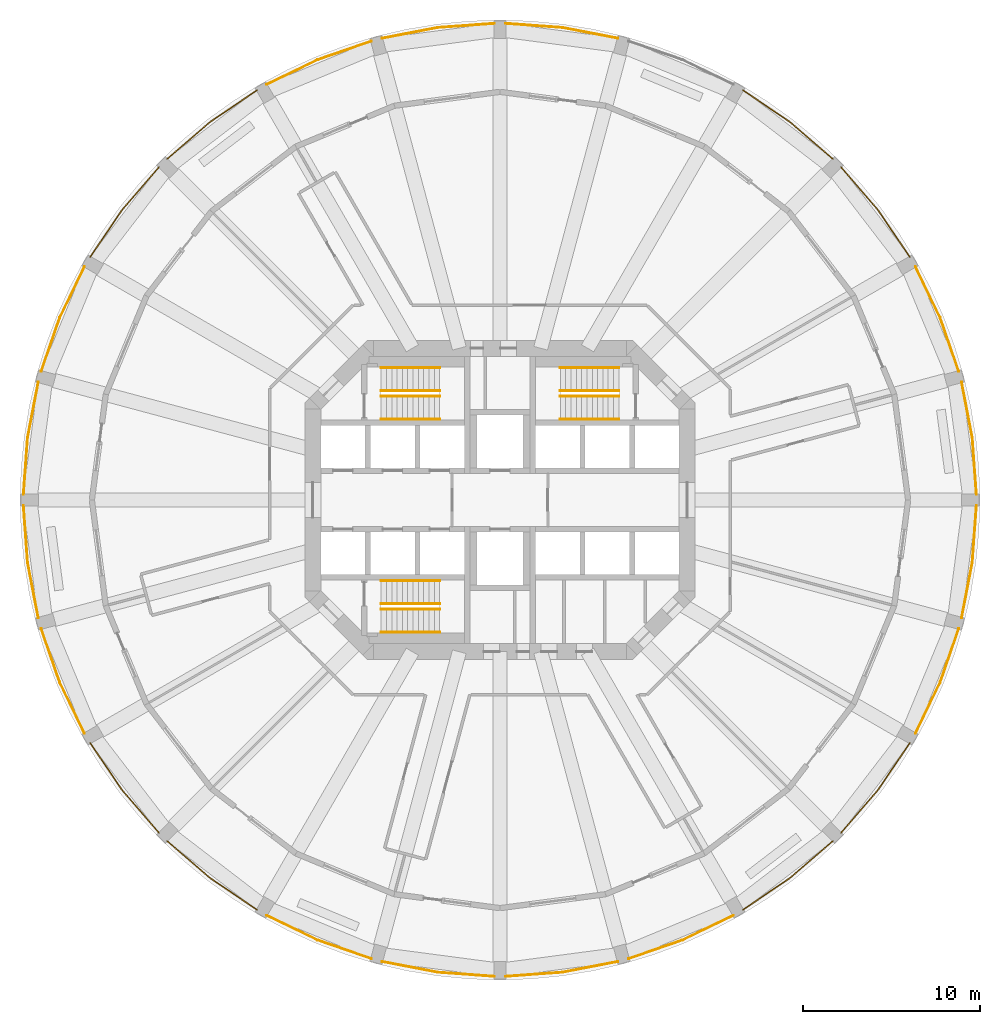
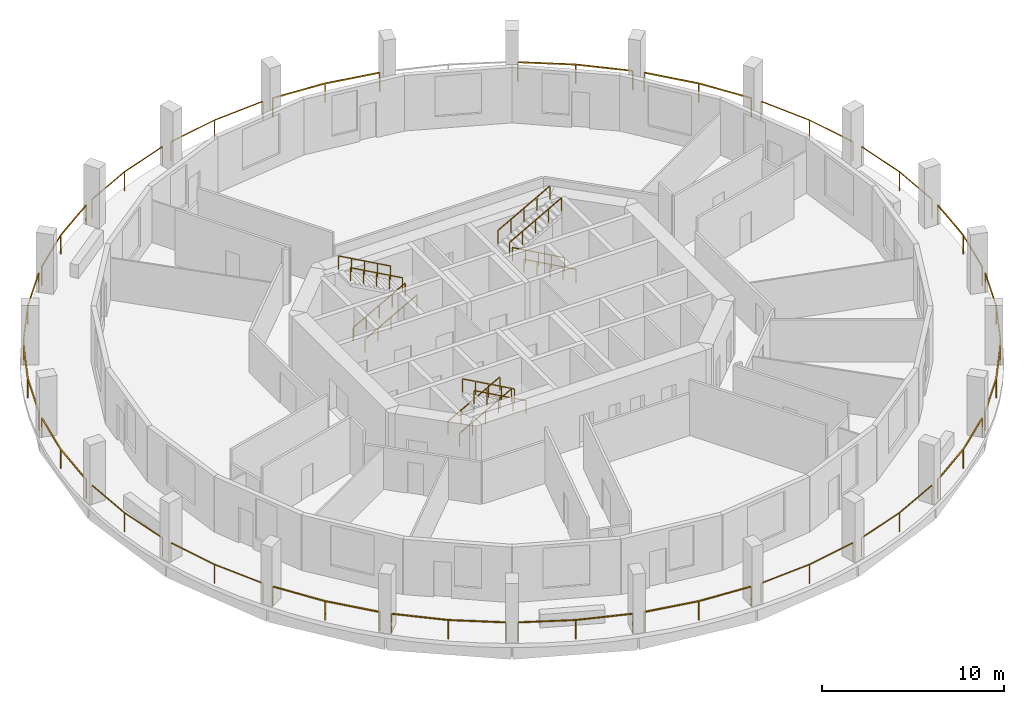
# One storey, part 8 of 9: 35 railings.
"""IFC4 building model written with IfcOpenShell, lengths in metres."""

from ifc_helpers import new_model, si_unit, direction, frame, origin, origin_2d, place, context, subcontext, project, spatial, rectangle, extrude, material, type_object, element, save


model = new_model("IFC4")

# Units and contexts
model_context = context("Model", 3, precision=1e-05, world=origin(), true_north=direction((0.0, 1.0)))
body_context = subcontext(model_context, "Body", "Model", "MODEL_VIEW")
ifc_project = project(units=[si_unit("LENGTHUNIT", "METRE"), si_unit("AREAUNIT", "SQUARE_METRE"), si_unit("VOLUMEUNIT", "CUBIC_METRE"), si_unit("PLANEANGLEUNIT", "RADIAN"), si_unit("MASSUNIT", "GRAM", prefix="KILO")], contexts=[model_context])

# Site, building, storey
site_placement = place(None, origin())
site = spatial("IfcSite", under=ifc_project, at=site_placement, CompositionType="ELEMENT")
building_placement = place(site_placement, origin())
building = spatial("IfcBuilding", under=site, at=building_placement, Name="Torre Triforio", CompositionType="ELEMENT")
storey_placement = place(building_placement, frame((0.0, 0.0, 67.0)))
storey = spatial("IfcBuildingStorey", under=building, at=storey_placement, Name="L14", CompositionType="ELEMENT", Elevation=67.0)

# Railings
ifc_material = material(Name="Stainless steel AISI 316", Category="steel")
railing_type_1 = type_object("IfcRailingType", Name="HANDRAIL 920", PredefinedType="HANDRAIL", material=ifc_material)
for number, where, name in (
    (1, (-6.699951171875, 4.550048828125, 0.166748046875), "Handrail ST1"),
    (2, (-6.699951171875, 5.85009765625, 0.166748046875), "Handrail ST1"),
):
    element("IfcRailing", number, at=place(storey_placement, frame(where)), inside=storey, type_object=railing_type_1, Name=name, PredefinedType="HANDRAIL", context=body_context, shape_type="SweptSolid", body=[
        extrude(rectangle(XDim=0.048095703125, YDim=0.048095703125, at=origin_2d()), frame((0.0, 0.0, 0.89599609375), z_axis=(0.874169478083, 0.0, 0.485620966999), x_axis=(0.0, 1.0, 0.0)), (0.0, 0.0, 1.0), 3.775146484375),
        extrude(rectangle(XDim=0.0419921875, YDim=0.0419921875, at=origin_2d()), origin(), (0.0, 0.0, 1.0), 0.871826171875),
        extrude(rectangle(XDim=0.0419921875, YDim=0.0419921875, at=origin_2d()), frame((0.824951171875, 0.0, 0.458251953125)), (0.0, 0.0, 1.0), 0.871826171875),
        extrude(rectangle(XDim=0.0419921875, YDim=0.0419921875, at=origin_2d()), frame((1.64990234375, 0.0, 0.91650390625)), (0.0, 0.0, 1.0), 0.871826171875),
        extrude(rectangle(XDim=0.0419921875, YDim=0.0419921875, at=origin_2d()), frame((2.47509765625, 0.0, 1.375)), (0.0, 0.0, 1.0), 0.871826171875),
        extrude(rectangle(XDim=0.0419921875, YDim=0.0419921875, at=origin_2d()), frame((3.300048828125, 0.0, 1.833251953125)), (0.0, 0.0, 1.0), 0.871826171875),
    ])
for number, where, name in (
    (3, (-3.39990234375, 7.449951171875, 2.166748046875), "Handrail ST1"),
    (4, (-3.39990234375, 6.14990234375, 2.166748046875), "Handrail ST1"),
    (5, (6.699951171875, 4.550048828125, 0.166748046875), "Handrail ST2"),
    (6, (6.699951171875, 5.85009765625, 0.166748046875), "Handrail ST2"),
):
    element("IfcRailing", number, at=place(storey_placement, frame(where)), inside=storey, type_object=railing_type_1, Name=name, PredefinedType="HANDRAIL", context=body_context, shape_type="SweptSolid", body=[
        extrude(rectangle(XDim=0.048095703125, YDim=0.048095703125, at=origin_2d()), frame((0.0, 0.0, 0.89599609375), z_axis=(-0.874169478083, 0.0, 0.485620966999), x_axis=(0.0, -1.0, 0.0)), (0.0, 0.0, 1.0), 3.775146484375),
        extrude(rectangle(XDim=0.0419921875, YDim=0.0419921875, at=origin_2d()), origin(), (0.0, 0.0, 1.0), 0.871826171875),
        extrude(rectangle(XDim=0.0419921875, YDim=0.0419921875, at=origin_2d()), frame((-0.824951171875, 0.0, 0.458251953125)), (0.0, 0.0, 1.0), 0.871826171875),
        extrude(rectangle(XDim=0.0419921875, YDim=0.0419921875, at=origin_2d()), frame((-1.64990234375, 0.0, 0.91650390625)), (0.0, 0.0, 1.0), 0.871826171875),
        extrude(rectangle(XDim=0.0419921875, YDim=0.0419921875, at=origin_2d()), frame((-2.47509765625, 0.0, 1.375)), (0.0, 0.0, 1.0), 0.871826171875),
        extrude(rectangle(XDim=0.0419921875, YDim=0.0419921875, at=origin_2d()), frame((-3.300048828125, 0.0, 1.833251953125)), (0.0, 0.0, 1.0), 0.871826171875),
    ])
for number, where, name in (
    (7, (3.39990234375, 7.449951171875, 2.166748046875), "Handrail ST2"),
    (8, (3.39990234375, 6.14990234375, 2.166748046875), "Handrail ST2"),
    (9, (-6.699951171875, -4.550048828125, 0.166748046875), "Handrail ST3"),
    (10, (-6.699951171875, -5.85009765625, 0.166748046875), "Handrail ST3"),
):
    element("IfcRailing", number, at=place(storey_placement, frame(where)), inside=storey, type_object=railing_type_1, Name=name, PredefinedType="HANDRAIL", context=body_context, shape_type="SweptSolid", body=[
        extrude(rectangle(XDim=0.048095703125, YDim=0.048095703125, at=origin_2d()), frame((0.0, 0.0, 0.89599609375), z_axis=(0.874169478083, 0.0, 0.485620966999), x_axis=(0.0, 1.0, 0.0)), (0.0, 0.0, 1.0), 3.775146484375),
        extrude(rectangle(XDim=0.0419921875, YDim=0.0419921875, at=origin_2d()), origin(), (0.0, 0.0, 1.0), 0.871826171875),
        extrude(rectangle(XDim=0.0419921875, YDim=0.0419921875, at=origin_2d()), frame((0.824951171875, 0.0, 0.458251953125)), (0.0, 0.0, 1.0), 0.871826171875),
        extrude(rectangle(XDim=0.0419921875, YDim=0.0419921875, at=origin_2d()), frame((1.64990234375, 0.0, 0.91650390625)), (0.0, 0.0, 1.0), 0.871826171875),
        extrude(rectangle(XDim=0.0419921875, YDim=0.0419921875, at=origin_2d()), frame((2.47509765625, 0.0, 1.375)), (0.0, 0.0, 1.0), 0.871826171875),
        extrude(rectangle(XDim=0.0419921875, YDim=0.0419921875, at=origin_2d()), frame((3.300048828125, 0.0, 1.833251953125)), (0.0, 0.0, 1.0), 0.871826171875),
    ])
for number, where, name in (
    (11, (-3.39990234375, -7.449951171875, 2.166748046875), "Handrail ST3"),
    (12, (-3.39990234375, -6.14990234375, 2.166748046875), "Handrail ST3"),
):
    element("IfcRailing", number, at=place(storey_placement, frame(where)), inside=storey, type_object=railing_type_1, Name=name, PredefinedType="HANDRAIL", context=body_context, shape_type="SweptSolid", body=[
        extrude(rectangle(XDim=0.048095703125, YDim=0.048095703125, at=origin_2d()), frame((0.0, 0.0, 0.89599609375), z_axis=(-0.874169478083, 0.0, 0.485620966999), x_axis=(0.0, -1.0, 0.0)), (0.0, 0.0, 1.0), 3.775146484375),
        extrude(rectangle(XDim=0.0419921875, YDim=0.0419921875, at=origin_2d()), origin(), (0.0, 0.0, 1.0), 0.871826171875),
        extrude(rectangle(XDim=0.0419921875, YDim=0.0419921875, at=origin_2d()), frame((-0.824951171875, 0.0, 0.458251953125)), (0.0, 0.0, 1.0), 0.871826171875),
        extrude(rectangle(XDim=0.0419921875, YDim=0.0419921875, at=origin_2d()), frame((-1.64990234375, 0.0, 0.91650390625)), (0.0, 0.0, 1.0), 0.871826171875),
        extrude(rectangle(XDim=0.0419921875, YDim=0.0419921875, at=origin_2d()), frame((-2.47509765625, 0.0, 1.375)), (0.0, 0.0, 1.0), 0.871826171875),
        extrude(rectangle(XDim=0.0419921875, YDim=0.0419921875, at=origin_2d()), frame((-3.300048828125, 0.0, 1.833251953125)), (0.0, 0.0, 1.0), 0.871826171875),
    ])
railing_type_2 = type_object("IfcRailingType", Name="Loggia guard 1300", PredefinedType="GUARDRAIL", material=ifc_material)
railing_1_placement = place(storey_placement, frame((26.85009765625, 0.320068359375, 0.0)))
element("IfcRailing", 13, at=railing_1_placement, inside=storey, type_object=railing_type_2, Name="Loggia guard L14 bay 01", PredefinedType="GUARDRAIL", context=body_context, shape_type="SweptSolid", body=[
    extrude(rectangle(XDim=0.050048828125, YDim=0.050048828125, at=origin_2d()), frame((0.0, 0.0, 1.27490234375), z_axis=(-0.071953458998, 0.997407990613, 0.0), x_axis=(-0.997407990613, -0.071953458998, 0.0)), (0.0, 0.0, 1.0), 3.19287109375),
    extrude(rectangle(XDim=0.050048828125, YDim=0.050048828125, at=origin_2d()), frame((-0.229736328125, 3.1845703125, 1.27490234375), z_axis=(-0.188714097365, 0.982032071501, 0.0), x_axis=(-0.982032071501, -0.188714097365, 0.0)), (0.0, 0.0, 1.0), 3.19287109375),
    extrude(rectangle(XDim=0.0400390625, YDim=0.0400390625, at=origin_2d()), origin(), (0.0, 0.0, 1.0), 1.25),
    extrude(rectangle(XDim=0.0400390625, YDim=0.0400390625, at=origin_2d()), frame((-0.229736328125, 3.1845703125, 0.0)), (0.0, 0.0, 1.0), 1.25),
    extrude(rectangle(XDim=0.0400390625, YDim=0.0400390625, at=origin_2d()), frame((-0.832275390625, 6.320068359375, 0.0)), (0.0, 0.0, 1.0), 1.25),
])
railing_2_placement = place(storey_placement, frame((25.852294921875, 7.25830078125, 0.0)))
element("IfcRailing", 14, at=railing_2_placement, inside=storey, type_object=railing_type_2, Name="Loggia guard L14 bay 02", PredefinedType="GUARDRAIL", context=body_context, shape_type="SweptSolid", body=[
    extrude(rectangle(XDim=0.050048828125, YDim=0.050048828125, at=origin_2d()), frame((0.0, 0.0, 1.27490234375), z_axis=(-0.327627852034, 0.94480685358, 0.0), x_axis=(-0.94480685358, -0.327627852034, 0.0)), (0.0, 0.0, 1.0), 3.193115234375),
    extrude(rectangle(XDim=0.050048828125, YDim=0.050048828125, at=origin_2d()), frame((-1.046142578125, 3.016845703125, 1.27490234375), z_axis=(-0.436384192305, 0.899760432952, 0.0), x_axis=(-0.899760432952, -0.436384192305, 0.0)), (0.0, 0.0, 1.0), 3.19287109375),
    extrude(rectangle(XDim=0.0400390625, YDim=0.0400390625, at=origin_2d()), origin(), (0.0, 0.0, 1.0), 1.25),
    extrude(rectangle(XDim=0.0400390625, YDim=0.0400390625, at=origin_2d()), frame((-1.046142578125, 3.016845703125, 0.0)), (0.0, 0.0, 1.0), 1.25),
    extrude(rectangle(XDim=0.0400390625, YDim=0.0400390625, at=origin_2d()), frame((-2.439453125, 5.8896484375, 0.0)), (0.0, 0.0, 1.0), 1.25),
])
railing_3_placement = place(storey_placement, frame((23.0927734375, 13.7021484375, 0.0)))
element("IfcRailing", 15, at=railing_3_placement, inside=storey, type_object=railing_type_2, Name="Loggia guard L14 bay 03", PredefinedType="GUARDRAIL", context=body_context, shape_type="SweptSolid", body=[
    extrude(rectangle(XDim=0.050048828125, YDim=0.050048828125, at=origin_2d()), frame((0.0, 0.0, 1.27490234375), z_axis=(-0.561018896338, 0.82780299465, 0.0), x_axis=(-0.82780299465, -0.561018896338, 0.0)), (0.0, 0.0, 1.0), 3.19287109375),
    extrude(rectangle(XDim=0.050048828125, YDim=0.050048828125, at=origin_2d()), frame((-1.791259765625, 2.64306640625, 1.27490234375), z_axis=(-0.654385993255, 0.756160678581, 0.0), x_axis=(-0.756160678581, -0.654385993255, 0.0)), (0.0, 0.0, 1.0), 3.19287109375),
    extrude(rectangle(XDim=0.0400390625, YDim=0.0400390625, at=origin_2d()), origin(), (0.0, 0.0, 1.0), 1.25),
    extrude(rectangle(XDim=0.0400390625, YDim=0.0400390625, at=origin_2d()), frame((-1.791259765625, 2.64306640625, 0.0)), (0.0, 0.0, 1.0), 1.25),
    extrude(rectangle(XDim=0.0400390625, YDim=0.0400390625, at=origin_2d()), frame((-3.880615234375, 5.057373046875, 0.0)), (0.0, 0.0, 1.0), 1.25),
])
railing_4_placement = place(storey_placement, frame((18.759521484375, 19.212158203125, 0.0)))
element("IfcRailing", 16, at=railing_4_placement, inside=storey, type_object=railing_type_2, Name="Loggia guard L14 bay 04", PredefinedType="GUARDRAIL", context=body_context, shape_type="SweptSolid", body=[
    extrude(rectangle(XDim=0.050048828125, YDim=0.050048828125, at=origin_2d()), frame((0.0, 0.0, 1.27490234375), z_axis=(-0.756160678581, 0.654385993255, 0.0), x_axis=(-0.654385993255, -0.756160678581, 0.0)), (0.0, 0.0, 1.0), 3.19287109375),
    extrude(rectangle(XDim=0.050048828125, YDim=0.050048828125, at=origin_2d()), frame((-2.414306640625, 2.08935546875, 1.27490234375), z_axis=(-0.82780299465, 0.561018896338, 0.0), x_axis=(-0.561018896338, -0.82780299465, 0.0)), (0.0, 0.0, 1.0), 3.19287109375),
    extrude(rectangle(XDim=0.0400390625, YDim=0.0400390625, at=origin_2d()), origin(), (0.0, 0.0, 1.0), 1.25),
    extrude(rectangle(XDim=0.0400390625, YDim=0.0400390625, at=origin_2d()), frame((-2.414306640625, 2.08935546875, 0.0)), (0.0, 0.0, 1.0), 1.25),
    extrude(rectangle(XDim=0.0400390625, YDim=0.0400390625, at=origin_2d()), frame((-5.057373046875, 3.880615234375, 0.0)), (0.0, 0.0, 1.0), 1.25),
])
railing_5_placement = place(storey_placement, frame((6.64013671875, 26.017822265625, 0.0)))
element("IfcRailing", 17, at=railing_5_placement, inside=storey, type_object=railing_type_2, Name="Loggia guard L14 bay 06", PredefinedType="GUARDRAIL", context=body_context, shape_type="SweptSolid", body=[
    extrude(rectangle(XDim=0.050048828125, YDim=0.050048828125, at=origin_2d()), frame((0.0, 0.0, 1.27490234375), z_axis=(-0.982032071501, 0.188714097365, 0.0), x_axis=(-0.188714097365, -0.982032071501, 0.0)), (0.0, 0.0, 1.0), 3.19287109375),
    extrude(rectangle(XDim=0.050048828125, YDim=0.050048828125, at=origin_2d()), frame((-3.135498046875, 0.6025390625, 1.27490234375), z_axis=(-0.997407990613, 0.071953458998, 0.0), x_axis=(-0.071953458998, -0.997407990613, 0.0)), (0.0, 0.0, 1.0), 3.19287109375),
    extrude(rectangle(XDim=0.0400390625, YDim=0.0400390625, at=origin_2d()), origin(), (0.0, 0.0, 1.0), 1.25),
    extrude(rectangle(XDim=0.0400390625, YDim=0.0400390625, at=origin_2d()), frame((-3.135498046875, 0.6025390625, 0.0)), (0.0, 0.0, 1.0), 1.25),
    extrude(rectangle(XDim=0.0400390625, YDim=0.0400390625, at=origin_2d()), frame((-6.320068359375, 0.832275390625, 0.0)), (0.0, 0.0, 1.0), 1.25),
])
railing_6_placement = place(storey_placement, frame((-0.320068359375, 26.85009765625, 0.0)))
element("IfcRailing", 18, at=railing_6_placement, inside=storey, type_object=railing_type_2, Name="Loggia guard L14 bay 07", PredefinedType="GUARDRAIL", context=body_context, shape_type="SweptSolid", body=[
    extrude(rectangle(XDim=0.050048828125, YDim=0.050048828125, at=origin_2d()), frame((0.0, 0.0, 1.27490234375), z_axis=(-0.997407990613, -0.071953458998, 0.0), x_axis=(0.071953458998, -0.997407990613, 0.0)), (0.0, 0.0, 1.0), 3.19287109375),
    extrude(rectangle(XDim=0.050048828125, YDim=0.050048828125, at=origin_2d()), frame((-3.1845703125, -0.229736328125, 1.27490234375), z_axis=(-0.982032071501, -0.188714097365, 0.0), x_axis=(0.188714097365, -0.982032071501, 0.0)), (0.0, 0.0, 1.0), 3.19287109375),
    extrude(rectangle(XDim=0.0400390625, YDim=0.0400390625, at=origin_2d()), origin(), (0.0, 0.0, 1.0), 1.25),
    extrude(rectangle(XDim=0.0400390625, YDim=0.0400390625, at=origin_2d()), frame((-3.1845703125, -0.229736328125, 0.0)), (0.0, 0.0, 1.0), 1.25),
    extrude(rectangle(XDim=0.0400390625, YDim=0.0400390625, at=origin_2d()), frame((-6.320068359375, -0.832275390625, 0.0)), (0.0, 0.0, 1.0), 1.25),
])
railing_7_placement = place(storey_placement, frame((-7.25830078125, 25.852294921875, 0.0)))
element("IfcRailing", 19, at=railing_7_placement, inside=storey, type_object=railing_type_2, Name="Loggia guard L14 bay 08", PredefinedType="GUARDRAIL", context=body_context, shape_type="SweptSolid", body=[
    extrude(rectangle(XDim=0.050048828125, YDim=0.050048828125, at=origin_2d()), frame((0.0, 0.0, 1.27490234375), z_axis=(-0.94480685358, -0.327627852034, 0.0), x_axis=(0.327627852034, -0.94480685358, 0.0)), (0.0, 0.0, 1.0), 3.193115234375),
    extrude(rectangle(XDim=0.050048828125, YDim=0.050048828125, at=origin_2d()), frame((-3.016845703125, -1.046142578125, 1.27490234375), z_axis=(-0.899760432952, -0.436384192305, 0.0), x_axis=(0.436384192305, -0.899760432952, 0.0)), (0.0, 0.0, 1.0), 3.19287109375),
    extrude(rectangle(XDim=0.0400390625, YDim=0.0400390625, at=origin_2d()), origin(), (0.0, 0.0, 1.0), 1.25),
    extrude(rectangle(XDim=0.0400390625, YDim=0.0400390625, at=origin_2d()), frame((-3.016845703125, -1.046142578125, 0.0)), (0.0, 0.0, 1.0), 1.25),
    extrude(rectangle(XDim=0.0400390625, YDim=0.0400390625, at=origin_2d()), frame((-5.8896484375, -2.439453125, 0.0)), (0.0, 0.0, 1.0), 1.25),
])
railing_8_placement = place(storey_placement, frame((-13.7021484375, 23.0927734375, 0.0)))
element("IfcRailing", 20, at=railing_8_placement, inside=storey, type_object=railing_type_2, Name="Loggia guard L14 bay 09", PredefinedType="GUARDRAIL", context=body_context, shape_type="SweptSolid", body=[
    extrude(rectangle(XDim=0.050048828125, YDim=0.050048828125, at=origin_2d()), frame((0.0, 0.0, 1.27490234375), z_axis=(-0.82780299465, -0.561018896338, 0.0), x_axis=(0.561018896338, -0.82780299465, 0.0)), (0.0, 0.0, 1.0), 3.19287109375),
    extrude(rectangle(XDim=0.050048828125, YDim=0.050048828125, at=origin_2d()), frame((-2.64306640625, -1.791259765625, 1.27490234375), z_axis=(-0.756160678581, -0.654385993255, 0.0), x_axis=(0.654385993255, -0.756160678581, 0.0)), (0.0, 0.0, 1.0), 3.19287109375),
    extrude(rectangle(XDim=0.0400390625, YDim=0.0400390625, at=origin_2d()), origin(), (0.0, 0.0, 1.0), 1.25),
    extrude(rectangle(XDim=0.0400390625, YDim=0.0400390625, at=origin_2d()), frame((-2.64306640625, -1.791259765625, 0.0)), (0.0, 0.0, 1.0), 1.25),
    extrude(rectangle(XDim=0.0400390625, YDim=0.0400390625, at=origin_2d()), frame((-5.057373046875, -3.880615234375, 0.0)), (0.0, 0.0, 1.0), 1.25),
])
railing_9_placement = place(storey_placement, frame((-19.212158203125, 18.759521484375, 0.0)))
element("IfcRailing", 21, at=railing_9_placement, inside=storey, type_object=railing_type_2, Name="Loggia guard L14 bay 10", PredefinedType="GUARDRAIL", context=body_context, shape_type="SweptSolid", body=[
    extrude(rectangle(XDim=0.050048828125, YDim=0.050048828125, at=origin_2d()), frame((0.0, 0.0, 1.27490234375), z_axis=(-0.654385993255, -0.756160678581, 0.0), x_axis=(0.756160678581, -0.654385993255, 0.0)), (0.0, 0.0, 1.0), 3.19287109375),
    extrude(rectangle(XDim=0.050048828125, YDim=0.050048828125, at=origin_2d()), frame((-2.08935546875, -2.414306640625, 1.27490234375), z_axis=(-0.561018896338, -0.82780299465, 0.0), x_axis=(0.82780299465, -0.561018896338, 0.0)), (0.0, 0.0, 1.0), 3.19287109375),
    extrude(rectangle(XDim=0.0400390625, YDim=0.0400390625, at=origin_2d()), origin(), (0.0, 0.0, 1.0), 1.25),
    extrude(rectangle(XDim=0.0400390625, YDim=0.0400390625, at=origin_2d()), frame((-2.08935546875, -2.414306640625, 0.0)), (0.0, 0.0, 1.0), 1.25),
    extrude(rectangle(XDim=0.0400390625, YDim=0.0400390625, at=origin_2d()), frame((-3.880615234375, -5.057373046875, 0.0)), (0.0, 0.0, 1.0), 1.25),
])
railing_10_placement = place(storey_placement, frame((-23.412841796875, 13.14794921875, 0.0)))
element("IfcRailing", 22, at=railing_10_placement, inside=storey, type_object=railing_type_2, Name="Loggia guard L14 bay 11", PredefinedType="GUARDRAIL", context=body_context, shape_type="SweptSolid", body=[
    extrude(rectangle(XDim=0.050048828125, YDim=0.050048828125, at=origin_2d()), frame((0.0, 0.0, 1.27490234375), z_axis=(-0.436384192305, -0.899760432952, 0.0), x_axis=(0.899760432952, -0.436384192305, 0.0)), (0.0, 0.0, 1.0), 3.19287109375),
    extrude(rectangle(XDim=0.050048828125, YDim=0.050048828125, at=origin_2d()), frame((-1.393310546875, -2.872802734375, 1.27490234375), z_axis=(-0.327627852034, -0.94480685358, 0.0), x_axis=(0.94480685358, -0.327627852034, 0.0)), (0.0, 0.0, 1.0), 3.193115234375),
    extrude(rectangle(XDim=0.0400390625, YDim=0.0400390625, at=origin_2d()), origin(), (0.0, 0.0, 1.0), 1.25),
    extrude(rectangle(XDim=0.0400390625, YDim=0.0400390625, at=origin_2d()), frame((-1.393310546875, -2.872802734375, 0.0)), (0.0, 0.0, 1.0), 1.25),
    extrude(rectangle(XDim=0.0400390625, YDim=0.0400390625, at=origin_2d()), frame((-2.439453125, -5.8896484375, 0.0)), (0.0, 0.0, 1.0), 1.25),
])
railing_11_placement = place(storey_placement, frame((-26.017822265625, 6.64013671875, 0.0)))
element("IfcRailing", 23, at=railing_11_placement, inside=storey, type_object=railing_type_2, Name="Loggia guard L14 bay 12", PredefinedType="GUARDRAIL", context=body_context, shape_type="SweptSolid", body=[
    extrude(rectangle(XDim=0.050048828125, YDim=0.050048828125, at=origin_2d()), frame((0.0, 0.0, 1.27490234375), z_axis=(-0.188714097365, -0.982032071501, 0.0), x_axis=(0.982032071501, -0.188714097365, 0.0)), (0.0, 0.0, 1.0), 3.19287109375),
    extrude(rectangle(XDim=0.050048828125, YDim=0.050048828125, at=origin_2d()), frame((-0.6025390625, -3.135498046875, 1.27490234375), z_axis=(-0.071953458998, -0.997407990613, 0.0), x_axis=(0.997407990613, -0.071953458998, 0.0)), (0.0, 0.0, 1.0), 3.19287109375),
    extrude(rectangle(XDim=0.0400390625, YDim=0.0400390625, at=origin_2d()), origin(), (0.0, 0.0, 1.0), 1.25),
    extrude(rectangle(XDim=0.0400390625, YDim=0.0400390625, at=origin_2d()), frame((-0.6025390625, -3.135498046875, 0.0)), (0.0, 0.0, 1.0), 1.25),
    extrude(rectangle(XDim=0.0400390625, YDim=0.0400390625, at=origin_2d()), frame((-0.832275390625, -6.320068359375, 0.0)), (0.0, 0.0, 1.0), 1.25),
])
railing_12_placement = place(storey_placement, frame((-26.85009765625, -0.320068359375, 0.0)))
element("IfcRailing", 24, at=railing_12_placement, inside=storey, type_object=railing_type_2, Name="Loggia guard L14 bay 13", PredefinedType="GUARDRAIL", context=body_context, shape_type="SweptSolid", body=[
    extrude(rectangle(XDim=0.050048828125, YDim=0.050048828125, at=origin_2d()), frame((0.0, 0.0, 1.27490234375), z_axis=(0.071953458998, -0.997407990613, 0.0), x_axis=(0.997407990613, 0.071953458998, 0.0)), (0.0, 0.0, 1.0), 3.19287109375),
    extrude(rectangle(XDim=0.050048828125, YDim=0.050048828125, at=origin_2d()), frame((0.229736328125, -3.1845703125, 1.27490234375), z_axis=(0.188714097365, -0.982032071501, 0.0), x_axis=(0.982032071501, 0.188714097365, 0.0)), (0.0, 0.0, 1.0), 3.19287109375),
    extrude(rectangle(XDim=0.0400390625, YDim=0.0400390625, at=origin_2d()), origin(), (0.0, 0.0, 1.0), 1.25),
    extrude(rectangle(XDim=0.0400390625, YDim=0.0400390625, at=origin_2d()), frame((0.229736328125, -3.1845703125, 0.0)), (0.0, 0.0, 1.0), 1.25),
    extrude(rectangle(XDim=0.0400390625, YDim=0.0400390625, at=origin_2d()), frame((0.832275390625, -6.320068359375, 0.0)), (0.0, 0.0, 1.0), 1.25),
])
railing_13_placement = place(storey_placement, frame((-25.852294921875, -7.25830078125, 0.0)))
element("IfcRailing", 25, at=railing_13_placement, inside=storey, type_object=railing_type_2, Name="Loggia guard L14 bay 14", PredefinedType="GUARDRAIL", context=body_context, shape_type="SweptSolid", body=[
    extrude(rectangle(XDim=0.050048828125, YDim=0.050048828125, at=origin_2d()), frame((0.0, 0.0, 1.27490234375), z_axis=(0.327627852034, -0.94480685358, 0.0), x_axis=(0.94480685358, 0.327627852034, 0.0)), (0.0, 0.0, 1.0), 3.193115234375),
    extrude(rectangle(XDim=0.050048828125, YDim=0.050048828125, at=origin_2d()), frame((1.046142578125, -3.016845703125, 1.27490234375), z_axis=(0.436384192305, -0.899760432952, 0.0), x_axis=(0.899760432952, 0.436384192305, 0.0)), (0.0, 0.0, 1.0), 3.19287109375),
    extrude(rectangle(XDim=0.0400390625, YDim=0.0400390625, at=origin_2d()), origin(), (0.0, 0.0, 1.0), 1.25),
    extrude(rectangle(XDim=0.0400390625, YDim=0.0400390625, at=origin_2d()), frame((1.046142578125, -3.016845703125, 0.0)), (0.0, 0.0, 1.0), 1.25),
    extrude(rectangle(XDim=0.0400390625, YDim=0.0400390625, at=origin_2d()), frame((2.439453125, -5.8896484375, 0.0)), (0.0, 0.0, 1.0), 1.25),
])
railing_14_placement = place(storey_placement, frame((-23.0927734375, -13.7021484375, 0.0)))
element("IfcRailing", 26, at=railing_14_placement, inside=storey, type_object=railing_type_2, Name="Loggia guard L14 bay 15", PredefinedType="GUARDRAIL", context=body_context, shape_type="SweptSolid", body=[
    extrude(rectangle(XDim=0.050048828125, YDim=0.050048828125, at=origin_2d()), frame((0.0, 0.0, 1.27490234375), z_axis=(0.561018896338, -0.82780299465, 0.0), x_axis=(0.82780299465, 0.561018896338, 0.0)), (0.0, 0.0, 1.0), 3.19287109375),
    extrude(rectangle(XDim=0.050048828125, YDim=0.050048828125, at=origin_2d()), frame((1.791259765625, -2.64306640625, 1.27490234375), z_axis=(0.654385993255, -0.756160678581, 0.0), x_axis=(0.756160678581, 0.654385993255, 0.0)), (0.0, 0.0, 1.0), 3.19287109375),
    extrude(rectangle(XDim=0.0400390625, YDim=0.0400390625, at=origin_2d()), origin(), (0.0, 0.0, 1.0), 1.25),
    extrude(rectangle(XDim=0.0400390625, YDim=0.0400390625, at=origin_2d()), frame((1.791259765625, -2.64306640625, 0.0)), (0.0, 0.0, 1.0), 1.25),
    extrude(rectangle(XDim=0.0400390625, YDim=0.0400390625, at=origin_2d()), frame((3.880615234375, -5.057373046875, 0.0)), (0.0, 0.0, 1.0), 1.25),
])
railing_15_placement = place(storey_placement, frame((-18.759521484375, -19.212158203125, 0.0)))
element("IfcRailing", 27, at=railing_15_placement, inside=storey, type_object=railing_type_2, Name="Loggia guard L14 bay 16", PredefinedType="GUARDRAIL", context=body_context, shape_type="SweptSolid", body=[
    extrude(rectangle(XDim=0.050048828125, YDim=0.050048828125, at=origin_2d()), frame((0.0, 0.0, 1.27490234375), z_axis=(0.756160678581, -0.654385993255, 0.0), x_axis=(0.654385993255, 0.756160678581, 0.0)), (0.0, 0.0, 1.0), 3.19287109375),
    extrude(rectangle(XDim=0.050048828125, YDim=0.050048828125, at=origin_2d()), frame((2.414306640625, -2.08935546875, 1.27490234375), z_axis=(0.82780299465, -0.561018896338, 0.0), x_axis=(0.561018896338, 0.82780299465, 0.0)), (0.0, 0.0, 1.0), 3.19287109375),
    extrude(rectangle(XDim=0.0400390625, YDim=0.0400390625, at=origin_2d()), origin(), (0.0, 0.0, 1.0), 1.25),
    extrude(rectangle(XDim=0.0400390625, YDim=0.0400390625, at=origin_2d()), frame((2.414306640625, -2.08935546875, 0.0)), (0.0, 0.0, 1.0), 1.25),
    extrude(rectangle(XDim=0.0400390625, YDim=0.0400390625, at=origin_2d()), frame((5.057373046875, -3.880615234375, 0.0)), (0.0, 0.0, 1.0), 1.25),
])
railing_16_placement = place(storey_placement, frame((-13.14794921875, -23.412841796875, 0.0)))
element("IfcRailing", 28, at=railing_16_placement, inside=storey, type_object=railing_type_2, Name="Loggia guard L14 bay 17", PredefinedType="GUARDRAIL", context=body_context, shape_type="SweptSolid", body=[
    extrude(rectangle(XDim=0.050048828125, YDim=0.050048828125, at=origin_2d()), frame((0.0, 0.0, 1.27490234375), z_axis=(0.899760432952, -0.436384192305, 0.0), x_axis=(0.436384192305, 0.899760432952, 0.0)), (0.0, 0.0, 1.0), 3.19287109375),
    extrude(rectangle(XDim=0.050048828125, YDim=0.050048828125, at=origin_2d()), frame((2.872802734375, -1.393310546875, 1.27490234375), z_axis=(0.94480685358, -0.327627852034, 0.0), x_axis=(0.327627852034, 0.94480685358, 0.0)), (0.0, 0.0, 1.0), 3.193115234375),
    extrude(rectangle(XDim=0.0400390625, YDim=0.0400390625, at=origin_2d()), origin(), (0.0, 0.0, 1.0), 1.25),
    extrude(rectangle(XDim=0.0400390625, YDim=0.0400390625, at=origin_2d()), frame((2.872802734375, -1.393310546875, 0.0)), (0.0, 0.0, 1.0), 1.25),
    extrude(rectangle(XDim=0.0400390625, YDim=0.0400390625, at=origin_2d()), frame((5.8896484375, -2.439453125, 0.0)), (0.0, 0.0, 1.0), 1.25),
])
railing_17_placement = place(storey_placement, frame((-6.64013671875, -26.017822265625, 0.0)))
element("IfcRailing", 29, at=railing_17_placement, inside=storey, type_object=railing_type_2, Name="Loggia guard L14 bay 18", PredefinedType="GUARDRAIL", context=body_context, shape_type="SweptSolid", body=[
    extrude(rectangle(XDim=0.050048828125, YDim=0.050048828125, at=origin_2d()), frame((0.0, 0.0, 1.27490234375), z_axis=(0.982032071501, -0.188714097365, 0.0), x_axis=(0.188714097365, 0.982032071501, 0.0)), (0.0, 0.0, 1.0), 3.19287109375),
    extrude(rectangle(XDim=0.050048828125, YDim=0.050048828125, at=origin_2d()), frame((3.135498046875, -0.6025390625, 1.27490234375), z_axis=(0.997407990613, -0.071953458998, 0.0), x_axis=(0.071953458998, 0.997407990613, 0.0)), (0.0, 0.0, 1.0), 3.19287109375),
    extrude(rectangle(XDim=0.0400390625, YDim=0.0400390625, at=origin_2d()), origin(), (0.0, 0.0, 1.0), 1.25),
    extrude(rectangle(XDim=0.0400390625, YDim=0.0400390625, at=origin_2d()), frame((3.135498046875, -0.6025390625, 0.0)), (0.0, 0.0, 1.0), 1.25),
    extrude(rectangle(XDim=0.0400390625, YDim=0.0400390625, at=origin_2d()), frame((6.320068359375, -0.832275390625, 0.0)), (0.0, 0.0, 1.0), 1.25),
])
railing_18_placement = place(storey_placement, frame((0.320068359375, -26.85009765625, 0.0)))
element("IfcRailing", 30, at=railing_18_placement, inside=storey, type_object=railing_type_2, Name="Loggia guard L14 bay 19", PredefinedType="GUARDRAIL", context=body_context, shape_type="SweptSolid", body=[
    extrude(rectangle(XDim=0.050048828125, YDim=0.050048828125, at=origin_2d()), frame((0.0, 0.0, 1.27490234375), z_axis=(0.997407990613, 0.071953458998, 0.0), x_axis=(-0.071953458998, 0.997407990613, 0.0)), (0.0, 0.0, 1.0), 3.19287109375),
    extrude(rectangle(XDim=0.050048828125, YDim=0.050048828125, at=origin_2d()), frame((3.1845703125, 0.229736328125, 1.27490234375), z_axis=(0.982032071501, 0.188714097365, 0.0), x_axis=(-0.188714097365, 0.982032071501, 0.0)), (0.0, 0.0, 1.0), 3.19287109375),
    extrude(rectangle(XDim=0.0400390625, YDim=0.0400390625, at=origin_2d()), origin(), (0.0, 0.0, 1.0), 1.25),
    extrude(rectangle(XDim=0.0400390625, YDim=0.0400390625, at=origin_2d()), frame((3.1845703125, 0.229736328125, 0.0)), (0.0, 0.0, 1.0), 1.25),
    extrude(rectangle(XDim=0.0400390625, YDim=0.0400390625, at=origin_2d()), frame((6.320068359375, 0.832275390625, 0.0)), (0.0, 0.0, 1.0), 1.25),
])
railing_19_placement = place(storey_placement, frame((7.25830078125, -25.852294921875, 0.0)))
element("IfcRailing", 31, at=railing_19_placement, inside=storey, type_object=railing_type_2, Name="Loggia guard L14 bay 20", PredefinedType="GUARDRAIL", context=body_context, shape_type="SweptSolid", body=[
    extrude(rectangle(XDim=0.050048828125, YDim=0.050048828125, at=origin_2d()), frame((0.0, 0.0, 1.27490234375), z_axis=(0.94480685358, 0.327627852034, 0.0), x_axis=(-0.327627852034, 0.94480685358, 0.0)), (0.0, 0.0, 1.0), 3.193115234375),
    extrude(rectangle(XDim=0.050048828125, YDim=0.050048828125, at=origin_2d()), frame((3.016845703125, 1.046142578125, 1.27490234375), z_axis=(0.899760432952, 0.436384192305, 0.0), x_axis=(-0.436384192305, 0.899760432952, 0.0)), (0.0, 0.0, 1.0), 3.19287109375),
    extrude(rectangle(XDim=0.0400390625, YDim=0.0400390625, at=origin_2d()), origin(), (0.0, 0.0, 1.0), 1.25),
    extrude(rectangle(XDim=0.0400390625, YDim=0.0400390625, at=origin_2d()), frame((3.016845703125, 1.046142578125, 0.0)), (0.0, 0.0, 1.0), 1.25),
    extrude(rectangle(XDim=0.0400390625, YDim=0.0400390625, at=origin_2d()), frame((5.8896484375, 2.439453125, 0.0)), (0.0, 0.0, 1.0), 1.25),
])
railing_20_placement = place(storey_placement, frame((13.7021484375, -23.0927734375, 0.0)))
element("IfcRailing", 32, at=railing_20_placement, inside=storey, type_object=railing_type_2, Name="Loggia guard L14 bay 21", PredefinedType="GUARDRAIL", context=body_context, shape_type="SweptSolid", body=[
    extrude(rectangle(XDim=0.050048828125, YDim=0.050048828125, at=origin_2d()), frame((0.0, 0.0, 1.27490234375), z_axis=(0.82780299465, 0.561018896338, 0.0), x_axis=(-0.561018896338, 0.82780299465, 0.0)), (0.0, 0.0, 1.0), 3.19287109375),
    extrude(rectangle(XDim=0.050048828125, YDim=0.050048828125, at=origin_2d()), frame((2.64306640625, 1.791259765625, 1.27490234375), z_axis=(0.756160678581, 0.654385993255, 0.0), x_axis=(-0.654385993255, 0.756160678581, 0.0)), (0.0, 0.0, 1.0), 3.19287109375),
    extrude(rectangle(XDim=0.0400390625, YDim=0.0400390625, at=origin_2d()), origin(), (0.0, 0.0, 1.0), 1.25),
    extrude(rectangle(XDim=0.0400390625, YDim=0.0400390625, at=origin_2d()), frame((2.64306640625, 1.791259765625, 0.0)), (0.0, 0.0, 1.0), 1.25),
    extrude(rectangle(XDim=0.0400390625, YDim=0.0400390625, at=origin_2d()), frame((5.057373046875, 3.880615234375, 0.0)), (0.0, 0.0, 1.0), 1.25),
])
railing_21_placement = place(storey_placement, frame((19.212158203125, -18.759521484375, 0.0)))
element("IfcRailing", 33, at=railing_21_placement, inside=storey, type_object=railing_type_2, Name="Loggia guard L14 bay 22", PredefinedType="GUARDRAIL", context=body_context, shape_type="SweptSolid", body=[
    extrude(rectangle(XDim=0.050048828125, YDim=0.050048828125, at=origin_2d()), frame((0.0, 0.0, 1.27490234375), z_axis=(0.654385993255, 0.756160678581, 0.0), x_axis=(-0.756160678581, 0.654385993255, 0.0)), (0.0, 0.0, 1.0), 3.19287109375),
    extrude(rectangle(XDim=0.050048828125, YDim=0.050048828125, at=origin_2d()), frame((2.08935546875, 2.414306640625, 1.27490234375), z_axis=(0.561018896338, 0.82780299465, 0.0), x_axis=(-0.82780299465, 0.561018896338, 0.0)), (0.0, 0.0, 1.0), 3.19287109375),
    extrude(rectangle(XDim=0.0400390625, YDim=0.0400390625, at=origin_2d()), origin(), (0.0, 0.0, 1.0), 1.25),
    extrude(rectangle(XDim=0.0400390625, YDim=0.0400390625, at=origin_2d()), frame((2.08935546875, 2.414306640625, 0.0)), (0.0, 0.0, 1.0), 1.25),
    extrude(rectangle(XDim=0.0400390625, YDim=0.0400390625, at=origin_2d()), frame((3.880615234375, 5.057373046875, 0.0)), (0.0, 0.0, 1.0), 1.25),
])
railing_22_placement = place(storey_placement, frame((23.412841796875, -13.14794921875, 0.0)))
element("IfcRailing", 34, at=railing_22_placement, inside=storey, type_object=railing_type_2, Name="Loggia guard L14 bay 23", PredefinedType="GUARDRAIL", context=body_context, shape_type="SweptSolid", body=[
    extrude(rectangle(XDim=0.050048828125, YDim=0.050048828125, at=origin_2d()), frame((0.0, 0.0, 1.27490234375), z_axis=(0.436384192305, 0.899760432952, 0.0), x_axis=(-0.899760432952, 0.436384192305, 0.0)), (0.0, 0.0, 1.0), 3.19287109375),
    extrude(rectangle(XDim=0.050048828125, YDim=0.050048828125, at=origin_2d()), frame((1.393310546875, 2.872802734375, 1.27490234375), z_axis=(0.327627852034, 0.94480685358, 0.0), x_axis=(-0.94480685358, 0.327627852034, 0.0)), (0.0, 0.0, 1.0), 3.193115234375),
    extrude(rectangle(XDim=0.0400390625, YDim=0.0400390625, at=origin_2d()), origin(), (0.0, 0.0, 1.0), 1.25),
    extrude(rectangle(XDim=0.0400390625, YDim=0.0400390625, at=origin_2d()), frame((1.393310546875, 2.872802734375, 0.0)), (0.0, 0.0, 1.0), 1.25),
    extrude(rectangle(XDim=0.0400390625, YDim=0.0400390625, at=origin_2d()), frame((2.439453125, 5.8896484375, 0.0)), (0.0, 0.0, 1.0), 1.25),
])
railing_23_placement = place(storey_placement, frame((26.017822265625, -6.64013671875, 0.0)))
element("IfcRailing", 35, at=railing_23_placement, inside=storey, type_object=railing_type_2, Name="Loggia guard L14 bay 24", PredefinedType="GUARDRAIL", context=body_context, shape_type="SweptSolid", body=[
    extrude(rectangle(XDim=0.050048828125, YDim=0.050048828125, at=origin_2d()), frame((0.0, 0.0, 1.27490234375), z_axis=(0.188714097365, 0.982032071501, 0.0), x_axis=(-0.982032071501, 0.188714097365, 0.0)), (0.0, 0.0, 1.0), 3.19287109375),
    extrude(rectangle(XDim=0.050048828125, YDim=0.050048828125, at=origin_2d()), frame((0.6025390625, 3.135498046875, 1.27490234375), z_axis=(0.071953458998, 0.997407990613, 0.0), x_axis=(-0.997407990613, 0.071953458998, 0.0)), (0.0, 0.0, 1.0), 3.19287109375),
    extrude(rectangle(XDim=0.0400390625, YDim=0.0400390625, at=origin_2d()), origin(), (0.0, 0.0, 1.0), 1.25),
    extrude(rectangle(XDim=0.0400390625, YDim=0.0400390625, at=origin_2d()), frame((0.6025390625, 3.135498046875, 0.0)), (0.0, 0.0, 1.0), 1.25),
    extrude(rectangle(XDim=0.0400390625, YDim=0.0400390625, at=origin_2d()), frame((0.832275390625, 6.320068359375, 0.0)), (0.0, 0.0, 1.0), 1.25),
])

save(model, "model.ifc")
